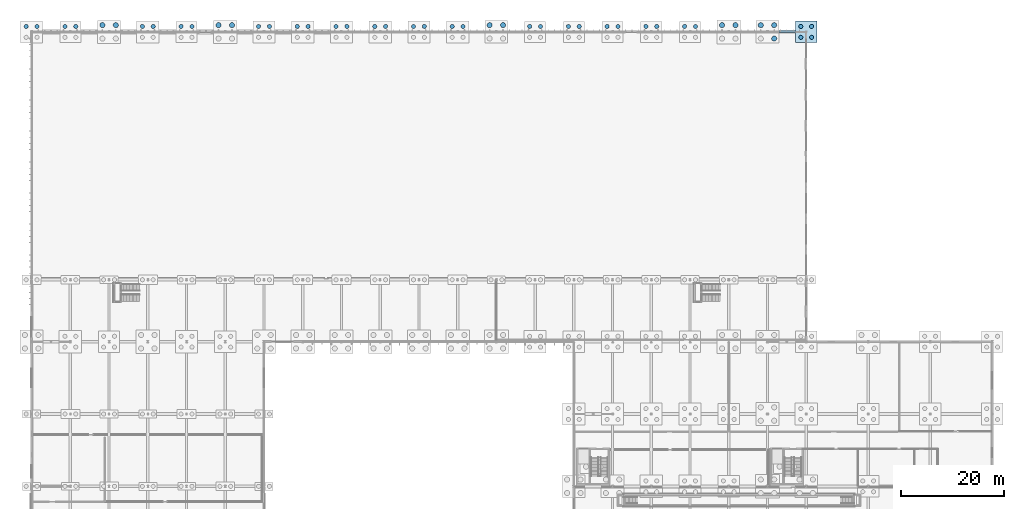
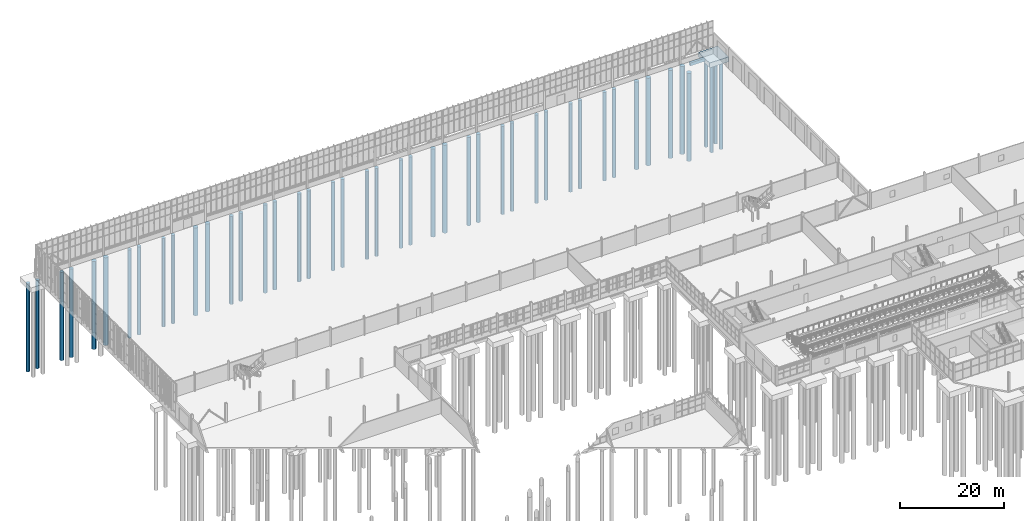
# One storey, part 9 of 136: 45 piles, 2 footings.
"""IFC4 building model written with IfcOpenShell, lengths in metres."""

from ifc_helpers import new_model, si_unit, direction, frame, origin, origin_2d, place, context, subcontext, project, spatial, rectangle, circle, extrude, material, material_profile, profile_set, type_object, element, save


model = new_model("IFC4")

# Units and contexts
model_context = context("Model", 3, precision=1e-05, world=origin(), true_north=direction((0.0, 1.0)))
body_context = subcontext(model_context, "Body", "Model", "MODEL_VIEW")
ifc_project = project(units=[si_unit("LENGTHUNIT", "METRE"), si_unit("AREAUNIT", "SQUARE_METRE"), si_unit("VOLUMEUNIT", "CUBIC_METRE"), si_unit("PLANEANGLEUNIT", "RADIAN"), si_unit("MASSUNIT", "GRAM", prefix="KILO")], contexts=[model_context])

# Site, building, storey
site_placement = place(None, origin())
site = spatial("IfcSite", under=ifc_project, at=site_placement, CompositionType="ELEMENT")
building_placement = place(site_placement, origin())
building = spatial("IfcBuilding", under=site, at=building_placement, Name="Solvenia Promenade Tram Depot", CompositionType="ELEMENT")
storey_placement = place(building_placement, origin())
storey = spatial("IfcBuildingStorey", under=building, at=storey_placement, Name="L00", CompositionType="ELEMENT", Elevation=0.0)

# Footing
ifc_material = material(Name="Concrete C28/35", Category="concrete")
footing_type_1 = type_object("IfcFootingType", Name="Cap-PC4-4200", PredefinedType="PILE_CAP", material=ifc_material)
footing_1_placement = place(storey_placement, frame((150.0, 126.0, -1.449951171875), z_axis=(0.0, 0.0, 1.0), x_axis=(1.0, 0.0, 0.0)))
element("IfcFooting", 1, at=footing_1_placement, inside=storey, type_object=footing_type_1, Name="Pile Cap CAP-140", PredefinedType="PILE_CAP", context=body_context, shape_type="SweptSolid", body=[
    extrude(rectangle(XDim=4.199951171875, YDim=4.199951171875, at=origin_2d()), origin(), (0.0, 0.0, 1.0), 1.14990234375),
])

# Piles
ifc_material_profile_1 = material_profile(ifc_material, circle(Radius=0.5, at=origin_2d()), Name="D1000", Category="concrete")
ifc_profile_set_1 = profile_set([ifc_material_profile_1], Name="Concrete C28/35")
pile_type_1 = type_object("IfcPileType", Name="Pile-D1000", PredefinedType="BORED", material=ifc_profile_set_1)
for number, where, z_axis, x_axis, name in (
    (2, (13.699951171875, 127.300048828125, -1.4599609375), (0.0, 0.0, -1.0), (1.0, 0.0, 0.0), "Bored Pile PILE-023-2"),
    (3, (16.300048828125, 127.300048828125, -1.4599609375), (0.0, 0.0, -1.0), (1.0, 0.0, 0.0), "Bored Pile PILE-023-4"),
    (4, (36.199951171875, 127.300048828125, -1.4599609375), (0.0, 0.0, -1.0), (1.0, 0.0, 0.0), "Bored Pile PILE-047-2"),
    (5, (38.800048828125, 127.300048828125, -1.4599609375), (0.0, 0.0, -1.0), (1.0, 0.0, 0.0), "Bored Pile PILE-047-4"),
):
    element("IfcPile", number, at=place(storey_placement, frame(where, z_axis=z_axis, x_axis=x_axis)), inside=storey, type_object=pile_type_1, Name=name, PredefinedType="BORED", context=body_context, shape_type="SweptSolid", body=[
        extrude(circle(Radius=0.5, at=origin_2d()), origin(), (0.0, 0.0, 1.0), 20.5400390625),
    ])
for number, where, z_axis, x_axis, name in (
    (6, (88.699951171875, 127.300048828125, -1.419921875), (0.0, 0.0, -1.0), (1.0, 0.0, 0.0), "Bored Pile PILE-090-2"),
    (7, (91.300048828125, 127.300048828125, -1.419921875), (0.0, 0.0, -1.0), (1.0, 0.0, 0.0), "Bored Pile PILE-090-4"),
):
    element("IfcPile", number, at=place(storey_placement, frame(where, z_axis=z_axis, x_axis=x_axis)), inside=storey, type_object=pile_type_1, Name=name, PredefinedType="BORED", context=body_context, shape_type="SweptSolid", body=[
        extrude(circle(Radius=0.5, at=origin_2d()), origin(), (0.0, 0.0, 1.0), 20.580078125),
    ])
for number, where, z_axis, x_axis, name in (
    (8, (133.699951171875, 127.300048828125, -1.5), (0.0, 0.0, -1.0), (1.0, 0.0, 0.0), "Bored Pile PILE-124-2"),
    (9, (136.300048828125, 127.300048828125, -1.5), (0.0, 0.0, -1.0), (1.0, 0.0, 0.0), "Bored Pile PILE-124-4"),
):
    element("IfcPile", number, at=place(storey_placement, frame(where, z_axis=z_axis, x_axis=x_axis)), inside=storey, type_object=pile_type_1, Name=name, PredefinedType="BORED", context=body_context, shape_type="SweptSolid", body=[
        extrude(circle(Radius=0.5, at=origin_2d()), origin(), (0.0, 0.0, 1.0), 20.5),
    ])
for number, where, z_axis, x_axis, name in (
    (10, (141.199951171875, 127.300048828125, -1.419921875), (0.0, 0.0, -1.0), (1.0, 0.0, 0.0), "Bored Pile PILE-132-2"),
    (11, (143.800048828125, 124.699951171875, -1.419921875), (0.0, 0.0, -1.0), (1.0, 0.0, 0.0), "Bored Pile PILE-132-3"),
    (12, (143.800048828125, 127.300048828125, -1.419921875), (0.0, 0.0, -1.0), (1.0, 0.0, 0.0), "Bored Pile PILE-132-4"),
):
    element("IfcPile", number, at=place(storey_placement, frame(where, z_axis=z_axis, x_axis=x_axis)), inside=storey, type_object=pile_type_1, Name=name, PredefinedType="BORED", context=body_context, shape_type="SweptSolid", body=[
        extrude(circle(Radius=0.5, at=origin_2d()), origin(), (0.0, 0.0, 1.0), 20.580078125),
    ])
ifc_material_profile_2 = material_profile(ifc_material, circle(Radius=0.39990234375, at=origin_2d()), Name="D800", Category="concrete")
ifc_profile_set_2 = profile_set([ifc_material_profile_2], Name="Concrete C28/35")
pile_type_2 = type_object("IfcPileType", Name="Pile-D800", PredefinedType="BORED", material=ifc_profile_set_2)
for number, where, z_axis, x_axis, name in (
    (13, (-1.050048828125, 127.050048828125, -1.3798828125), (0.0, 0.0, -1.0), (1.0, 0.0, 0.0), "Bored Pile PILE-007-2"),
    (14, (1.050048828125, 127.050048828125, -1.3798828125), (0.0, 0.0, -1.0), (1.0, 0.0, 0.0), "Bored Pile PILE-007-4"),
):
    element("IfcPile", number, at=place(storey_placement, frame(where, z_axis=z_axis, x_axis=x_axis)), inside=storey, type_object=pile_type_2, Name=name, PredefinedType="BORED", context=body_context, shape_type="SweptSolid", body=[
        extrude(circle(Radius=0.39990234375, at=origin_2d()), origin(), (0.0, 0.0, 1.0), 20.6201171875),
    ])
for number, where, z_axis, x_axis, name in (
    (15, (6.449951171875, 127.050048828125, -1.320068359375), (0.0, 0.0, -1.0), (1.0, 0.0, 0.0), "Bored Pile PILE-015-2"),
    (16, (8.550048828125, 127.050048828125, -1.320068359375), (0.0, 0.0, -1.0), (1.0, 0.0, 0.0), "Bored Pile PILE-015-4"),
):
    element("IfcPile", number, at=place(storey_placement, frame(where, z_axis=z_axis, x_axis=x_axis)), inside=storey, type_object=pile_type_2, Name=name, PredefinedType="BORED", context=body_context, shape_type="SweptSolid", body=[
        extrude(circle(Radius=0.39990234375, at=origin_2d()), origin(), (0.0, 0.0, 1.0), 20.679931640625),
    ])
for number, where, z_axis, x_axis, name in (
    (17, (21.449951171875, 127.050048828125, -1.3798828125), (0.0, 0.0, -1.0), (1.0, 0.0, 0.0), "Bored Pile PILE-031-2"),
    (18, (23.550048828125, 127.050048828125, -1.3798828125), (0.0, 0.0, -1.0), (1.0, 0.0, 0.0), "Bored Pile PILE-031-4"),
):
    element("IfcPile", number, at=place(storey_placement, frame(where, z_axis=z_axis, x_axis=x_axis)), inside=storey, type_object=pile_type_2, Name=name, PredefinedType="BORED", context=body_context, shape_type="SweptSolid", body=[
        extrude(circle(Radius=0.39990234375, at=origin_2d()), origin(), (0.0, 0.0, 1.0), 20.6201171875),
    ])
for number, where, z_axis, x_axis, name in (
    (19, (28.949951171875, 127.050048828125, -1.320068359375), (0.0, 0.0, -1.0), (1.0, 0.0, 0.0), "Bored Pile PILE-039-2"),
    (20, (31.050048828125, 127.050048828125, -1.320068359375), (0.0, 0.0, -1.0), (1.0, 0.0, 0.0), "Bored Pile PILE-039-4"),
):
    element("IfcPile", number, at=place(storey_placement, frame(where, z_axis=z_axis, x_axis=x_axis)), inside=storey, type_object=pile_type_2, Name=name, PredefinedType="BORED", context=body_context, shape_type="SweptSolid", body=[
        extrude(circle(Radius=0.39990234375, at=origin_2d()), origin(), (0.0, 0.0, 1.0), 20.679931640625),
    ])
for number, where, z_axis, x_axis, name in (
    (21, (43.949951171875, 127.050048828125, -1.3798828125), (0.0, 0.0, -1.0), (1.0, 0.0, 0.0), "Bored Pile PILE-055-2"),
    (22, (46.050048828125, 127.050048828125, -1.3798828125), (0.0, 0.0, -1.0), (1.0, 0.0, 0.0), "Bored Pile PILE-055-4"),
    (23, (51.449951171875, 127.050048828125, -1.3798828125), (0.0, 0.0, -1.0), (1.0, 0.0, 0.0), "Bored Pile PILE-061-2"),
    (24, (53.550048828125, 127.050048828125, -1.3798828125), (0.0, 0.0, -1.0), (1.0, 0.0, 0.0), "Bored Pile PILE-061-4"),
    (25, (58.949951171875, 127.050048828125, -1.3798828125), (0.0, 0.0, -1.0), (1.0, 0.0, 0.0), "Bored Pile PILE-067-2"),
    (26, (61.050048828125, 127.050048828125, -1.3798828125), (0.0, 0.0, -1.0), (1.0, 0.0, 0.0), "Bored Pile PILE-067-4"),
    (27, (66.449951171875, 127.050048828125, -1.3798828125), (0.0, 0.0, -1.0), (1.0, 0.0, 0.0), "Bored Pile PILE-073-2"),
    (28, (68.550048828125, 127.050048828125, -1.3798828125), (0.0, 0.0, -1.0), (1.0, 0.0, 0.0), "Bored Pile PILE-073-4"),
    (29, (73.949951171875, 127.050048828125, -1.3798828125), (0.0, 0.0, -1.0), (1.0, 0.0, 0.0), "Bored Pile PILE-079-2"),
    (30, (76.050048828125, 127.050048828125, -1.3798828125), (0.0, 0.0, -1.0), (1.0, 0.0, 0.0), "Bored Pile PILE-079-4"),
    (31, (81.449951171875, 127.050048828125, -1.3798828125), (0.0, 0.0, -1.0), (1.0, 0.0, 0.0), "Bored Pile PILE-085-2"),
    (32, (83.550048828125, 127.050048828125, -1.3798828125), (0.0, 0.0, -1.0), (1.0, 0.0, 0.0), "Bored Pile PILE-085-4"),
):
    element("IfcPile", number, at=place(storey_placement, frame(where, z_axis=z_axis, x_axis=x_axis)), inside=storey, type_object=pile_type_2, Name=name, PredefinedType="BORED", context=body_context, shape_type="SweptSolid", body=[
        extrude(circle(Radius=0.39990234375, at=origin_2d()), origin(), (0.0, 0.0, 1.0), 20.6201171875),
    ])
for number, where, z_axis, x_axis, name in (
    (33, (96.449951171875, 127.050048828125, -1.320068359375), (0.0, 0.0, -1.0), (1.0, 0.0, 0.0), "Bored Pile PILE-093-2"),
    (34, (98.550048828125, 127.050048828125, -1.320068359375), (0.0, 0.0, -1.0), (1.0, 0.0, 0.0), "Bored Pile PILE-093-4"),
    (35, (103.949951171875, 127.050048828125, -1.320068359375), (0.0, 0.0, -1.0), (1.0, 0.0, 0.0), "Bored Pile PILE-099-2"),
    (36, (106.050048828125, 127.050048828125, -1.320068359375), (0.0, 0.0, -1.0), (1.0, 0.0, 0.0), "Bored Pile PILE-099-4"),
    (37, (111.449951171875, 127.050048828125, -1.320068359375), (0.0, 0.0, -1.0), (1.0, 0.0, 0.0), "Bored Pile PILE-105-2"),
    (38, (113.550048828125, 127.050048828125, -1.320068359375), (0.0, 0.0, -1.0), (1.0, 0.0, 0.0), "Bored Pile PILE-105-4"),
    (39, (118.949951171875, 127.050048828125, -1.320068359375), (0.0, 0.0, -1.0), (1.0, 0.0, 0.0), "Bored Pile PILE-111-2"),
    (40, (121.050048828125, 127.050048828125, -1.320068359375), (0.0, 0.0, -1.0), (1.0, 0.0, 0.0), "Bored Pile PILE-111-4"),
    (41, (126.449951171875, 127.050048828125, -1.320068359375), (0.0, 0.0, -1.0), (1.0, 0.0, 0.0), "Bored Pile PILE-117-2"),
    (42, (128.550048828125, 127.050048828125, -1.320068359375), (0.0, 0.0, -1.0), (1.0, 0.0, 0.0), "Bored Pile PILE-117-4"),
):
    element("IfcPile", number, at=place(storey_placement, frame(where, z_axis=z_axis, x_axis=x_axis)), inside=storey, type_object=pile_type_2, Name=name, PredefinedType="BORED", context=body_context, shape_type="SweptSolid", body=[
        extrude(circle(Radius=0.39990234375, at=origin_2d()), origin(), (0.0, 0.0, 1.0), 20.679931640625),
    ])
for number, where, z_axis, x_axis, name in (
    (43, (148.949951171875, 124.949951171875, -1.35009765625), (0.0, 0.0, -1.0), (1.0, 0.0, 0.0), "Bored Pile PILE-140-1"),
    (44, (148.949951171875, 127.050048828125, -1.35009765625), (0.0, 0.0, -1.0), (1.0, 0.0, 0.0), "Bored Pile PILE-140-2"),
    (45, (151.050048828125, 124.949951171875, -1.35009765625), (0.0, 0.0, -1.0), (1.0, 0.0, 0.0), "Bored Pile PILE-140-3"),
    (46, (151.050048828125, 127.050048828125, -1.35009765625), (0.0, 0.0, -1.0), (1.0, 0.0, 0.0), "Bored Pile PILE-140-4"),
):
    element("IfcPile", number, at=place(storey_placement, frame(where, z_axis=z_axis, x_axis=x_axis)), inside=storey, type_object=pile_type_2, Name=name, PredefinedType="BORED", context=body_context, shape_type="SweptSolid", body=[
        extrude(circle(Radius=0.39990234375, at=origin_2d()), origin(), (0.0, 0.0, 1.0), 20.64990234375),
    ])

# Footing
footing_type_2 = type_object("IfcFootingType", Name="TieBeam-500x700", PredefinedType="FOOTING_BEAM", material=ifc_material)
footing_2_placement = place(storey_placement, frame((146.300048828125, 126.0, -1.0), z_axis=(0.0, 0.0, 1.0), x_axis=(1.0, 0.0, 0.0)))
element("IfcFooting", 47, at=footing_2_placement, inside=storey, type_object=footing_type_2, Name="Seismic Tie Beam X-137", PredefinedType="FOOTING_BEAM", context=body_context, shape_type="SweptSolid", body=[
    extrude(rectangle(XDim=3.199951171875, YDim=0.5, at=origin_2d()), origin(), (0.0, 0.0, 1.0), 0.699951171875),
])

save(model, "model.ifc")
